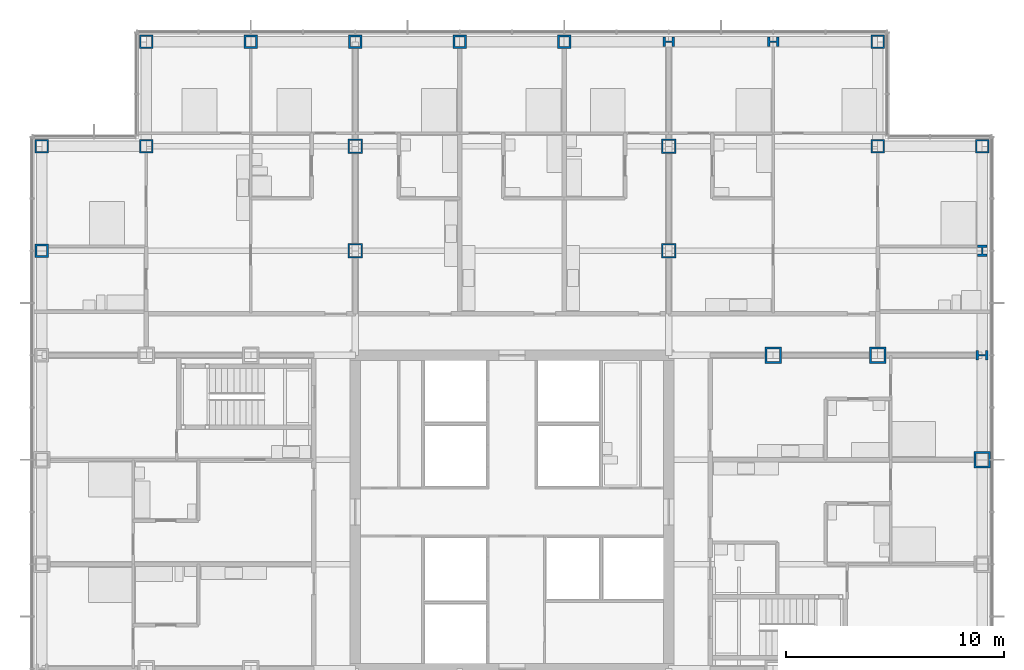
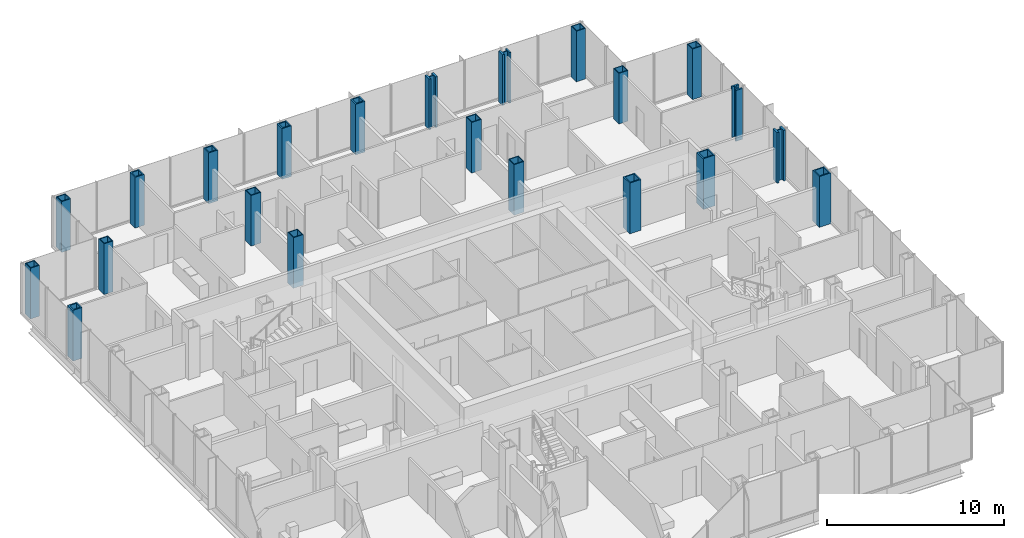
# One storey, part 5 of 21: 22 columns.
"""IFC4 building model written with IfcOpenShell, lengths in metres."""

from ifc_helpers import new_model, si_unit, direction, frame, origin, origin_2d, place, context, subcontext, project, spatial, hollow_rectangle, i_section, extrude, material, material_profile, profile_set, type_object, element, save


model = new_model("IFC4")

# Units and contexts
model_context = context("Model", 3, precision=1e-05, world=origin(), true_north=direction((0.0, 1.0)))
body_context = subcontext(model_context, "Body", "Model", "MODEL_VIEW")
ifc_project = project(units=[si_unit("LENGTHUNIT", "METRE"), si_unit("AREAUNIT", "SQUARE_METRE"), si_unit("VOLUMEUNIT", "CUBIC_METRE"), si_unit("PLANEANGLEUNIT", "RADIAN"), si_unit("MASSUNIT", "GRAM", prefix="KILO")], contexts=[model_context])

# Site, building, storey
site_placement = place(None, origin())
site = spatial("IfcSite", under=ifc_project, at=site_placement, CompositionType="ELEMENT")
building_placement = place(site_placement, origin())
building = spatial("IfcBuilding", under=site, at=building_placement, Name="Kvirike Care Tower", CompositionType="ELEMENT")
storey_placement = place(building_placement, frame((0.0, 0.0, 55.0)))
storey = spatial("IfcBuildingStorey", under=building, at=storey_placement, Name="L14", CompositionType="ELEMENT", Elevation=55.0)

# Columns
ifc_material_1 = material(Name="Steel S460", Category="steel")
ifc_material_profile_1 = material_profile(ifc_material_1, hollow_rectangle(XDim=0.60009765625, YDim=0.60009765625, WallThickness=0.050048828125, at=origin_2d()), Name="BX 600x600x50")
ifc_profile_set_1 = profile_set([ifc_material_profile_1], Name="Steel S460")
column_type_1 = type_object("IfcColumnType", Name="COLUMN BX 600x600x50", PredefinedType="COLUMN", material=ifc_profile_set_1)
for number, where, z_axis, x_axis, name in (
    (1, (38.39990234375, 52.800048828125, 0.0), (0.0, 0.0, 1.0), (0.0, 1.0, 0.0), "Column M11 L14"),
    (2, (38.39990234375, 57.60009765625, 0.0), (0.0, 0.0, 1.0), (0.0, 1.0, 0.0), "Column N11 L14"),
    (3, (43.199951171875, 52.800048828125, 0.0), (0.0, 0.0, 1.0), (0.0, 1.0, 0.0), "Column M12 L14"),
):
    element("IfcColumn", number, at=place(storey_placement, frame(where, z_axis=z_axis, x_axis=x_axis)), inside=storey, type_object=column_type_1, Name=name, PredefinedType="COLUMN", context=body_context, shape_type="SweptSolid", body=[
        extrude(hollow_rectangle(XDim=0.60009765625, YDim=0.60009765625, WallThickness=0.050048828125, at=origin_2d()), origin(), (0.0, 0.0, 1.0), 3.5),
    ])
ifc_material_2 = material(Name="Steel S460", Category="steel")
ifc_material_profile_2 = material_profile(ifc_material_2, hollow_rectangle(XDim=0.60009765625, YDim=0.60009765625, WallThickness=0.06005859375, at=origin_2d()), Name="BX 600x600x60")
ifc_profile_set_2 = profile_set([ifc_material_profile_2], Name="Steel S460")
column_type_2 = type_object("IfcColumnType", Name="COLUMN BX 600x600x60", PredefinedType="COLUMN", material=ifc_profile_set_2)
for number, where, z_axis, x_axis, name in (
    (4, (0.0, 52.800048828125, 0.0), (0.0, 0.0, 1.0), (0.0, 1.0, 0.0), "Column M3 L14"),
    (5, (4.800048828125, 52.800048828125, 0.0), (0.0, 0.0, 1.0), (0.0, 1.0, 0.0), "Column M4 L14"),
    (6, (4.800048828125, 57.60009765625, 0.0), (0.0, 0.0, 1.0), (0.0, 1.0, 0.0), "Column N4 L14"),
):
    element("IfcColumn", number, at=place(storey_placement, frame(where, z_axis=z_axis, x_axis=x_axis)), inside=storey, type_object=column_type_2, Name=name, PredefinedType="COLUMN", context=body_context, shape_type="SweptSolid", body=[
        extrude(hollow_rectangle(XDim=0.60009765625, YDim=0.60009765625, WallThickness=0.06005859375, at=origin_2d()), origin(), (0.0, 0.0, 1.0), 3.5),
    ])
ifc_material_3 = material(Name="Steel S460", Category="steel")
ifc_material_profile_3 = material_profile(ifc_material_3, hollow_rectangle(XDim=0.60009765625, YDim=0.60009765625, WallThickness=0.080078125, at=origin_2d()), Name="BX 600x600x80")
ifc_profile_set_3 = profile_set([ifc_material_profile_3], Name="Steel S460")
column_type_3 = type_object("IfcColumnType", Name="COLUMN BX 600x600x80", PredefinedType="COLUMN", material=ifc_profile_set_3)
for number, where, z_axis, x_axis, name in (
    (7, (0.0, 48.0, 0.0), (0.0, 0.0, 1.0), (1.0, 0.0, 0.0), "Column L3 L14"),
    (8, (9.60009765625, 57.60009765625, 0.0), (0.0, 0.0, 1.0), (0.0, 1.0, 0.0), "Column N5 L14"),
    (9, (14.39990234375, 57.60009765625, 0.0), (0.0, 0.0, 1.0), (0.0, 1.0, 0.0), "Column N6 L14"),
    (10, (19.199951171875, 57.60009765625, 0.0), (0.0, 0.0, 1.0), (0.0, 1.0, 0.0), "Column N7 L14"),
    (11, (24.0, 57.60009765625, 0.0), (0.0, 0.0, 1.0), (0.0, 1.0, 0.0), "Column N8 L14"),
):
    element("IfcColumn", number, at=place(storey_placement, frame(where, z_axis=z_axis, x_axis=x_axis)), inside=storey, type_object=column_type_3, Name=name, PredefinedType="COLUMN", context=body_context, shape_type="SweptSolid", body=[
        extrude(hollow_rectangle(XDim=0.60009765625, YDim=0.60009765625, WallThickness=0.080078125, at=origin_2d()), origin(), (0.0, 0.0, 1.0), 3.5),
    ])
ifc_material_4 = material(Name="Steel S460", Category="steel")
ifc_material_profile_4 = material_profile(ifc_material_4, hollow_rectangle(XDim=0.64990234375, YDim=0.64990234375, WallThickness=0.050048828125, at=origin_2d()), Name="BX 650x650x50")
ifc_profile_set_4 = profile_set([ifc_material_profile_4], Name="Steel S460")
column_type_4 = type_object("IfcColumnType", Name="COLUMN BX 650x650x50", PredefinedType="COLUMN", material=ifc_profile_set_4)
for number, where, z_axis, x_axis, name in (
    (12, (14.39990234375, 48.0, 0.0), (0.0, 0.0, 1.0), (1.0, 0.0, 0.0), "Column L6 L14"),
    (13, (14.39990234375, 52.800048828125, 0.0), (0.0, 0.0, 1.0), (1.0, 0.0, 0.0), "Column M6 L14"),
    (14, (28.800048828125, 48.0, 0.0), (0.0, 0.0, 1.0), (1.0, 0.0, 0.0), "Column L9 L14"),
    (15, (28.800048828125, 52.800048828125, 0.0), (0.0, 0.0, 1.0), (1.0, 0.0, 0.0), "Column M9 L14"),
):
    element("IfcColumn", number, at=place(storey_placement, frame(where, z_axis=z_axis, x_axis=x_axis)), inside=storey, type_object=column_type_4, Name=name, PredefinedType="COLUMN", context=body_context, shape_type="SweptSolid", body=[
        extrude(hollow_rectangle(XDim=0.64990234375, YDim=0.64990234375, WallThickness=0.050048828125, at=origin_2d()), origin(), (0.0, 0.0, 1.0), 3.5),
    ])
ifc_material_5 = material(Name="Steel S460", Category="steel")
ifc_material_profile_5 = material_profile(ifc_material_5, hollow_rectangle(XDim=0.75, YDim=0.75, WallThickness=0.080078125, at=origin_2d()), Name="BX 750x750x80")
ifc_profile_set_5 = profile_set([ifc_material_profile_5], Name="Steel S460")
column_type_5 = type_object("IfcColumnType", Name="COLUMN BX 750x750x80", PredefinedType="COLUMN", material=ifc_profile_set_5)
for number, where, z_axis, x_axis, name in (
    (16, (33.60009765625, 43.199951171875, 0.0), (0.0, 0.0, 1.0), (0.0, 1.0, 0.0), "Column K10 L14"),
    (17, (38.39990234375, 43.199951171875, 0.0), (0.0, 0.0, 1.0), (0.0, 1.0, 0.0), "Column K11 L14"),
    (18, (43.199951171875, 38.39990234375, 0.0), (0.0, 0.0, 1.0), (1.0, 0.0, 0.0), "Column J12 L14"),
):
    element("IfcColumn", number, at=place(storey_placement, frame(where, z_axis=z_axis, x_axis=x_axis)), inside=storey, type_object=column_type_5, Name=name, PredefinedType="COLUMN", context=body_context, shape_type="SweptSolid", body=[
        extrude(hollow_rectangle(XDim=0.75, YDim=0.75, WallThickness=0.080078125, at=origin_2d()), origin(), (0.0, 0.0, 1.0), 3.5),
    ])
ifc_material_6 = material(Name="Steel S460", Category="steel")
ifc_material_profile_6 = material_profile(ifc_material_6, i_section(OverallWidth=0.447998046875, OverallDepth=0.550048828125, WebThickness=0.072021484375, FlangeThickness=0.114990234375, FilletRadius=0.014892578125, at=origin_2d()), Name="HD 400x990")
ifc_profile_set_6 = profile_set([ifc_material_profile_6], Name="Steel S460")
column_type_6 = type_object("IfcColumnType", Name="COLUMN HD 400x990", PredefinedType="COLUMN", material=ifc_profile_set_6)
for number, where, z_axis, x_axis, name in (
    (19, (28.800048828125, 57.60009765625, 0.0), (0.0, 0.0, 1.0), (0.0, 1.0, 0.0), "Column N9 L14"),
    (20, (33.60009765625, 57.60009765625, 0.0), (0.0, 0.0, 1.0), (0.0, 1.0, 0.0), "Column N10 L14"),
    (21, (43.199951171875, 43.199951171875, 0.0), (0.0, 0.0, 1.0), (0.0, 1.0, 0.0), "Column K12 L14"),
    (22, (43.199951171875, 48.0, 0.0), (0.0, 0.0, 1.0), (1.0, 0.0, 0.0), "Column L12 L14"),
):
    element("IfcColumn", number, at=place(storey_placement, frame(where, z_axis=z_axis, x_axis=x_axis)), inside=storey, type_object=column_type_6, Name=name, PredefinedType="COLUMN", context=body_context, shape_type="SweptSolid", body=[
        extrude(i_section(OverallWidth=0.447998046875, OverallDepth=0.550048828125, WebThickness=0.072021484375, FlangeThickness=0.114990234375, FilletRadius=0.014892578125, at=origin_2d()), origin(), (0.0, 0.0, 1.0), 3.5),
    ])

save(model, "model.ifc")
